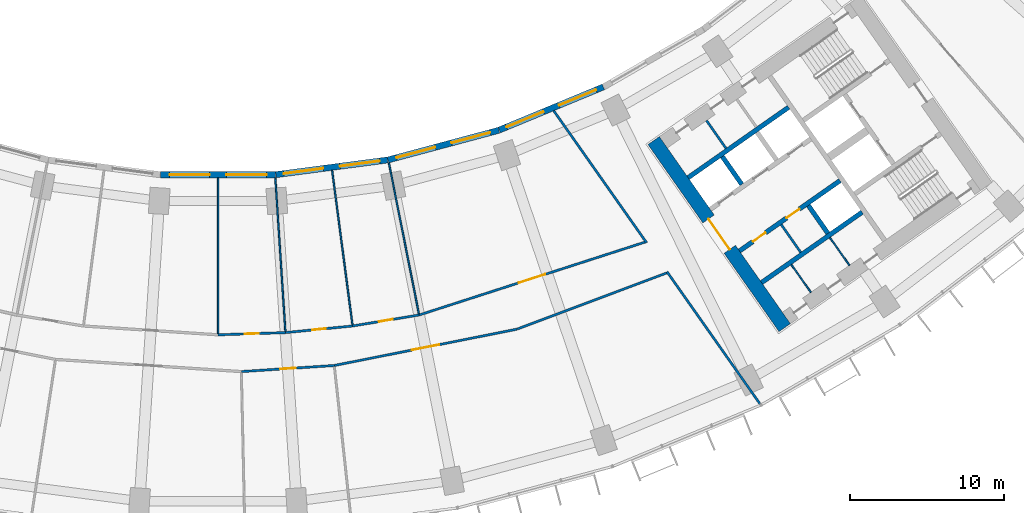
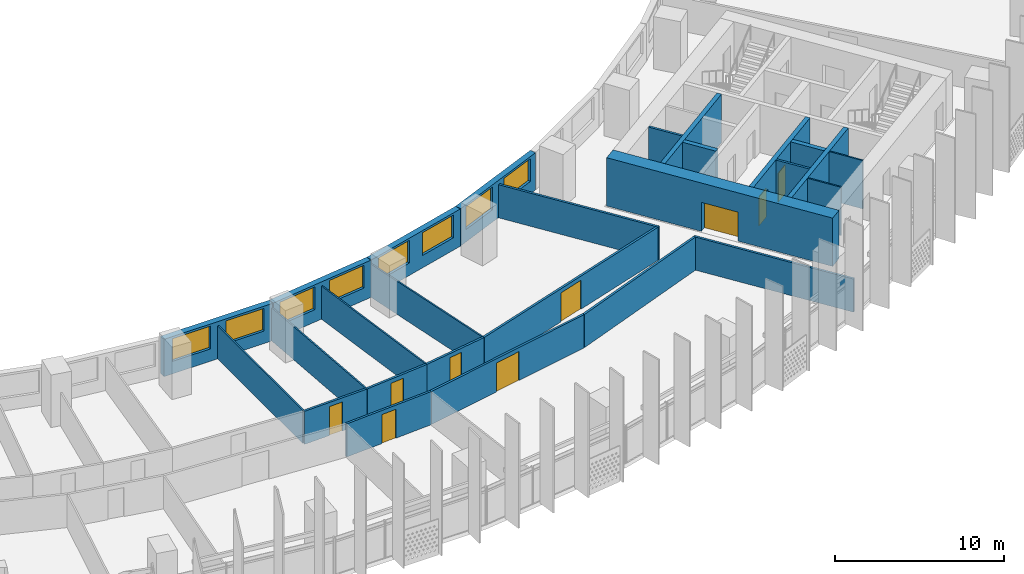
# One storey, part 6 of 33: 27 walls, 9 doors, 8 windows, 17 openings.
"""IFC4 building model written with IfcOpenShell, lengths in metres."""

import ifcopenshell
import ifcopenshell.guid

model = None  # the IFC model being written
_history = None  # IfcOwnerHistory: only IFC2X3 demands one
_inside = {}  # id of a spatial element -> (the spatial element, [elements in it])
_under = {}  # id of a project, library or spatial element -> (it, [spatial elements below it])
_declared = {}  # id of a project -> (the project, [libraries it declares])
_typed = {}  # id of a type object -> (the type object, [elements of that type])
_made_of = {}  # id of a material, layer set ... -> (it, [elements and type objects made of it])


def new_model(schema):
    """Start an empty IFC model of exactly this schema.

    Asked for "IFC4X3", IfcOpenShell would pick the latest addendum, in which some entities
    have other attributes; the version numbers below select the first issue.
    IFC2X3 requires an IfcOwnerHistory on every rooted entity: one is made here for all.
    """
    global model, _history
    if schema == "IFC4X3":
        model = ifcopenshell.file(schema_version=(4, 3, 0, 0))
    else:
        model = ifcopenshell.file(schema=schema)
    _inside.clear()
    _under.clear()
    _declared.clear()
    _typed.clear()
    _made_of.clear()
    _history = None
    if model.schema == "IFC2X3":
        org = make("IfcOrganization", Name="unknown")
        user = make(
            "IfcPersonAndOrganization",
            ThePerson=make("IfcPerson", FamilyName="unknown"),
            TheOrganization=org,
        )
        app = make(
            "IfcApplication",
            ApplicationDeveloper=org,
            Version="unknown",
            ApplicationFullName="unknown",
            ApplicationIdentifier="unknown",
        )
        _history = make(
            "IfcOwnerHistory",
            OwningUser=user,
            OwningApplication=app,
            ChangeAction="ADDED",
            CreationDate=0,
        )
    return model


def make(cls, **values):
    """One entity of the class cls with the attributes given. An attribute that is None is left unset."""
    return model.create_entity(
        cls, **{name: value for name, value in values.items() if value is not None}
    )


def rooted(cls, **values):
    """An entity with a GlobalId (a new one), such as an element, a storey or a relation."""
    return make(cls, GlobalId=ifcopenshell.guid.new(), OwnerHistory=_history, **values)


def si_unit(unit_type, name, prefix=None):
    """IfcSIUnit, for example si_unit("LENGTHUNIT", "METRE", prefix="MILLI")."""
    return make("IfcSIUnit", UnitType=unit_type, Prefix=prefix, Name=name)


def assignment(units):
    """IfcUnitAssignment: the units of a project."""
    return None if units is None else make("IfcUnitAssignment", Units=units)


def point(xyz):
    """IfcCartesianPoint."""
    return None if xyz is None else make("IfcCartesianPoint", Coordinates=xyz)


def direction(xyz):
    """IfcDirection."""
    return None if xyz is None else make("IfcDirection", DirectionRatios=xyz)


def frame(location, z_axis=None, x_axis=None):
    """IfcAxis2Placement3D, a coordinate frame: its origin and axes. An axis left out is left unset."""
    return make(
        "IfcAxis2Placement3D",
        Location=point(location),
        Axis=direction(z_axis),
        RefDirection=direction(x_axis),
    )


def frame_2d(location, x_axis=None):
    """IfcAxis2Placement2D, a coordinate frame in the plane: its origin and x axis."""
    return make(
        "IfcAxis2Placement2D", Location=point(location), RefDirection=direction(x_axis)
    )


def origin():
    """The frame at (0, 0, 0) with its axes left unset."""
    return frame((0.0, 0.0, 0.0))


def place(relative_to, where):
    """IfcLocalPlacement: puts the frame where relative to a parent placement (None: the world)."""
    return make(
        "IfcLocalPlacement", PlacementRelTo=relative_to, RelativePlacement=where
    )


def context(
    kind, dimensions, precision=None, world=None, true_north=None, identifier=None
):
    """IfcGeometricRepresentationContext, for example the 3D "Model" context."""
    return make(
        "IfcGeometricRepresentationContext",
        ContextIdentifier=identifier,
        ContextType=kind,
        CoordinateSpaceDimension=dimensions,
        Precision=precision,
        WorldCoordinateSystem=world,
        TrueNorth=true_north,
    )


def subcontext(parent, identifier, kind, view, scale=None):
    """IfcGeometricRepresentationSubContext, for example "Body" below "Model"."""
    return make(
        "IfcGeometricRepresentationSubContext",
        ContextIdentifier=identifier,
        ContextType=kind,
        ParentContext=parent,
        TargetScale=scale,
        TargetView=view,
    )


def project(units=None, contexts=None):
    """IfcProject with its units and contexts."""
    return rooted(
        "IfcProject",
        Name="project",
        RepresentationContexts=contexts,
        UnitsInContext=assignment(units),
    )


def spatial(cls, under=None, at=None, **own):
    """A site, building, storey or space (cls), placed at a placement, below another one or the project."""
    s = rooted(cls, ObjectPlacement=at, **own)
    if under is not None:
        _under.setdefault(under.id(), (under, []))[1].append(s)
    return s


def profile(cls, at=None, kind="AREA", **sizes):
    """A parametric profile (cls). Its sizes go by their IFC names, for example OverallWidth=200.0."""
    return make(cls, ProfileType=kind, Position=at, **sizes)


def rectangle(**sizes):
    """IfcRectangleProfileDef."""
    return profile("IfcRectangleProfileDef", **sizes)


def extrude(swept, where, along, depth):
    """IfcExtrudedAreaSolid: the profile swept, set in the frame where, extruded along a direction by depth."""
    return make(
        "IfcExtrudedAreaSolid",
        SweptArea=swept,
        Position=where,
        ExtrudedDirection=direction(along),
        Depth=depth,
    )


def shape(context_of_items, identifier, shape_type, items):
    """IfcShapeRepresentation: the items that make up one representation, for example the "Body"."""
    return make(
        "IfcShapeRepresentation",
        ContextOfItems=context_of_items,
        RepresentationIdentifier=identifier,
        RepresentationType=shape_type,
        Items=items,
    )


def material(Name=None, Category=None):
    """IfcMaterial."""
    return make("IfcMaterial", Name=Name, Category=Category)


def layer(
    of_material, thickness, ventilated=None, Name=None, Category=None, Priority=None
):
    """IfcMaterialLayer: one layer of a wall or slab, of a material (None: an air gap)."""
    return make(
        "IfcMaterialLayer",
        Material=of_material,
        LayerThickness=thickness,
        IsVentilated=ventilated,
        Name=Name,
        Category=Category,
        Priority=Priority,
    )


def layer_set(layers, Name=None):
    """IfcMaterialLayerSet."""
    return make("IfcMaterialLayerSet", MaterialLayers=layers, LayerSetName=Name)


def made_of(thing, what):
    """Note that an element or type object is made of a material, layer set ...; save() writes the relation."""
    if what is not None:
        _made_of.setdefault(what.id(), (what, []))[1].append(thing)
    return thing


def type_object(cls, material=None, **own):
    """A type object (cls), such as IfcWallType, which elements share."""
    return made_of(rooted(cls, **own), material)


def element(
    cls,
    number,
    at=None,
    inside=None,
    cuts=None,
    type_object=None,
    material=None,
    context=None,
    identifier="Body",
    shape_type=None,
    held_by="IfcProductDefinitionShape",
    body=None,
    shapes=None,
    **own,
):
    """One element of the class cls, such as IfcWall. Its Tag is "e" and its number.

    at: its placement. inside: the storey or other place that contains it. cuts: it is an
    opening in that element (IfcRelVoidsElement). A single representation is given by context,
    identifier, shape_type and body (its items); several are given by shapes. held_by: the class
    of the entity that holds the representations. save() writes the other relations.
    """
    e = rooted(cls, Tag="e%d" % number, ObjectPlacement=at, **own)
    if body is not None:
        shapes = [shape(context, identifier, shape_type, body)]
    if shapes is not None:
        e.Representation = make(held_by, Representations=shapes)
    if inside is not None:
        _inside.setdefault(inside.id(), (inside, []))[1].append(e)
    if cuts is not None:
        rooted(
            "IfcRelVoidsElement", RelatingBuildingElement=cuts, RelatedOpeningElement=e
        )
    if type_object is not None:
        _typed.setdefault(type_object.id(), (type_object, []))[1].append(e)
    return made_of(e, material)


def fill(opening, filler):
    """IfcRelFillsElement: the door or window that sits in an opening."""
    return rooted(
        "IfcRelFillsElement",
        RelatingOpeningElement=opening,
        RelatedBuildingElement=filler,
    )


def aggregate(whole, parts):
    """IfcRelAggregates: a whole, such as a stair, and the parts it consists of."""
    return rooted("IfcRelAggregates", RelatingObject=whole, RelatedObjects=parts)


def save(model, path):
    """Write the relations noted so far, then the file.

    IfcRelAggregates (storeys below a building ...), IfcRelContainedInSpatialStructure (elements
    in a storey), IfcRelDefinesByType, IfcRelAssociatesMaterial and IfcRelDeclares: one each for
    every whole, place, type object, material and project.
    """
    for whole, parts in _under.values():
        aggregate(whole, parts)
    for where, things in _inside.values():
        rooted(
            "IfcRelContainedInSpatialStructure",
            RelatedElements=things,
            RelatingStructure=where,
        )
    for kind, things in _typed.values():
        rooted("IfcRelDefinesByType", RelatedObjects=things, RelatingType=kind)
    for what, things in _made_of.values():
        rooted("IfcRelAssociatesMaterial", RelatedObjects=things, RelatingMaterial=what)
    for by, libraries in _declared.values():
        rooted("IfcRelDeclares", RelatingContext=by, RelatedDefinitions=libraries)
    model.write(path)


model = new_model("IFC4")

# Units and contexts
model_context = context("Model", 3, precision=1e-05, world=origin(), true_north=direction((0.0, 1.0)))
body_context = subcontext(model_context, "Body", "Model", "MODEL_VIEW")
ifc_project = project(units=[si_unit("LENGTHUNIT", "METRE"), si_unit("AREAUNIT", "SQUARE_METRE"), si_unit("VOLUMEUNIT", "CUBIC_METRE"), si_unit("PLANEANGLEUNIT", "RADIAN"), si_unit("MASSUNIT", "GRAM", prefix="KILO")], contexts=[model_context])

# Site, building, storey
site_placement = place(None, origin())
site = spatial("IfcSite", under=ifc_project, at=site_placement, CompositionType="ELEMENT")
building_placement = place(site_placement, origin())
building = spatial("IfcBuilding", under=site, at=building_placement, Name="Qamariyya Broadcast Tower", CompositionType="ELEMENT")
storey_placement = place(building_placement, frame((0.0, 0.0, 78.5)))
storey = spatial("IfcBuildingStorey", under=building, at=storey_placement, Name="L16", CompositionType="ELEMENT", Elevation=78.5)

# Wall, opening, door
ifc_material_1 = material(Name="Concrete C70/85", Category="concrete")
ifc_layer_1 = layer(ifc_material_1, 0.89990234375)
ifc_layer_set_1 = layer_set([ifc_layer_1], Name="Core wall 900 mm Concrete C70/85")
wall_type_1 = type_object("IfcWallType", Name="Core wall 900 mm Concrete C70/85", PredefinedType="SHEAR", material=ifc_layer_set_1)
wall_1_placement = place(storey_placement, frame((36.716796875, -66.3369140625, 0.0), z_axis=(0.0, 0.0, 1.0), x_axis=(-0.573577477574, 0.819151315216, 0.0)))
wall_1 = element("IfcWall", 1, at=wall_1_placement, inside=storey, type_object=wall_type_1, Name="k-E-L16-WA", PredefinedType="SHEAR", context=body_context, shape_type="SweptSolid", body=[
    extrude(rectangle(XDim=14.800048828125, YDim=0.89990234375, at=frame_2d((7.39990234375, 0.0))), origin(), (0.0, 0.0, 1.0), 3.5),
])
opening_1_placement = place(wall_1_placement, frame((6.199951171875, 0.0, 0.0)))
opening_1 = element("IfcOpeningElement", 2, at=opening_1_placement, cuts=wall_1, Name="Opening KD3-E1", PredefinedType="OPENING", context=body_context, shape_type="SweptSolid", body=[
    extrude(rectangle(XDim=2.39990234375, YDim=2.10009765625, at=frame_2d((1.199951171875, 1.050048828125))), frame((0.0, 0.4599609375, 0.0), z_axis=(0.0, -1.0, 0.0), x_axis=(1.0, 0.0, 0.0)), (0.0, 0.0, 1.0), 0.919921875),
])
ifc_material_2 = material(Name="Steel fire-resisting door leaf", Category="steel")
door_type_1 = type_object("IfcDoorType", Name="Lift lobby door KD3", OperationType="DOUBLE_DOOR_SINGLE_SWING", PredefinedType="DOOR", material=ifc_material_2)
door_1_placement = place(opening_1_placement, origin())
door_1 = element("IfcDoor", 3, at=door_1_placement, inside=storey, type_object=door_type_1, Name="k-E-L16-WA-D1", OperationType="DOUBLE_DOOR_SINGLE_SWING", OverallHeight=2.10009765625, OverallWidth=2.39990234375, PredefinedType="DOOR", context=body_context, shape_type="SweptSolid", body=[
    extrude(rectangle(XDim=2.39990234375, YDim=2.10009765625, at=frame_2d((1.199951171875, 1.050048828125))), frame((0.0, 0.02490234375, 0.0), z_axis=(0.0, -1.0, 0.0), x_axis=(1.0, 0.0, 0.0)), (0.0, 0.0, 1.0), 0.050048828125),
])
fill(opening_1, door_1)

ifc_material_3 = material(Name="Gypsum board partition")
ifc_layer_2 = layer(ifc_material_3, 0.14990234375)
ifc_layer_set_2 = layer_set([ifc_layer_2], Name="Corridor partition 150 EI 60")
wall_type_2 = type_object("IfcWallType", Name="Corridor partition 150 EI 60", PredefinedType="PARTITIONING", material=ifc_layer_set_2)
wall_2_placement = place(storey_placement, frame((0.0, -66.800048828125, 0.0), z_axis=(0.0, 0.0, 1.0), x_axis=(0.99946426167, 0.03272903366, 0.0)))
wall_2 = element("IfcWall", 4, at=wall_2_placement, inside=storey, type_object=wall_type_2, Name="Partition L16-016", PredefinedType="PARTITIONING", context=body_context, shape_type="SweptSolid", body=[
    extrude(rectangle(XDim=4.371337890625, YDim=0.14990234375, at=frame_2d((2.185546875, 0.0))), origin(), (0.0, 0.0, 1.0), 2.39990234375),
])
opening_2_placement = place(wall_2_placement, frame((1.735595703125, 0.0, 0.0)))
opening_2 = element("IfcOpeningElement", 5, at=opening_2_placement, cuts=wall_2, Name="Opening L16-D10", PredefinedType="OPENING", context=body_context, shape_type="SweptSolid", body=[
    extrude(rectangle(XDim=0.89990234375, YDim=2.10009765625, at=frame_2d((0.449951171875, 1.050048828125))), frame((0.0, 0.0849609375, 0.0), z_axis=(0.0, -1.0, 0.0), x_axis=(1.0, 0.0, 0.0)), (0.0, 0.0, 1.0), 0.169921875),
])
ifc_material_4 = material(Name="Timber fire door leaf", Category="wood")
door_type_2 = type_object("IfcDoorType", Name="Fire door 900 x 2100 FD60", OperationType="NOTDEFINED", PredefinedType="DOOR", material=ifc_material_4)
door_2_placement = place(opening_2_placement, origin())
door_2 = element("IfcDoor", 6, at=door_2_placement, inside=storey, type_object=door_type_2, Name="Door L16-D10", OperationType="SINGLE_SWING_RIGHT", OverallHeight=2.10009765625, OverallWidth=0.89990234375, PredefinedType="DOOR", context=body_context, shape_type="SweptSolid", body=[
    extrude(rectangle(XDim=0.89990234375, YDim=2.10009765625, at=frame_2d((0.449951171875, 1.050048828125))), frame((0.0, 0.02490234375, 0.0), z_axis=(0.0, -1.0, 0.0), x_axis=(1.0, 0.0, 0.0)), (0.0, 0.0, 1.0), 0.050048828125),
])
fill(opening_2, door_2)

wall_3_placement = place(storey_placement, frame((7.53173828125, -68.788818359375, 0.0), z_axis=(0.0, 0.0, 1.0), x_axis=(-0.997856905736, -0.065433903101, 0.0)))
wall_3 = element("IfcWall", 7, at=wall_3_placement, inside=storey, type_object=wall_type_2, Name="Partition L16-018", PredefinedType="PARTITIONING", context=body_context, shape_type="SweptSolid", body=[
    extrude(rectangle(XDim=6.033203125, YDim=0.14990234375, at=frame_2d((3.0166015625, 0.0))), origin(), (0.0, 0.0, 1.0), 2.39990234375),
])
opening_3_placement = place(wall_3_placement, frame((2.5166015625, 0.0, 0.0)))
opening_3 = element("IfcOpeningElement", 8, at=opening_3_placement, cuts=wall_3, Name="Opening L16-D04", PredefinedType="OPENING", context=body_context, shape_type="SweptSolid", body=[
    extrude(rectangle(XDim=1.0, YDim=2.10009765625, at=frame_2d((0.5, 1.050048828125))), frame((0.0, 0.0849609375, 0.0), z_axis=(0.0, -1.0, 0.0), x_axis=(1.0, 0.0, 0.0)), (0.0, 0.0, 1.0), 0.169921875),
])
door_type_3 = type_object("IfcDoorType", Name="Fire door 1000 x 2100 FD60", OperationType="NOTDEFINED", PredefinedType="DOOR", material=ifc_material_4)
door_3_placement = place(opening_3_placement, origin())
door_3 = element("IfcDoor", 9, at=door_3_placement, inside=storey, type_object=door_type_3, Name="Door L16-D04", OperationType="SINGLE_SWING_RIGHT", OverallHeight=2.10009765625, OverallWidth=1.0, PredefinedType="DOOR", context=body_context, shape_type="SweptSolid", body=[
    extrude(rectangle(XDim=1.0, YDim=2.10009765625, at=frame_2d((0.5, 1.050048828125))), frame((0.0, 0.02490234375, 0.0), z_axis=(0.0, -1.0, 0.0), x_axis=(1.0, 0.0, 0.0)), (0.0, 0.0, 1.0), 0.050048828125),
])
fill(opening_3, door_3)

wall_4_placement = place(storey_placement, frame((4.368896484375, -66.656982421875, 0.0), z_axis=(0.0, 0.0, 1.0), x_axis=(0.995184826457, 0.098016127192, 0.0)))
wall_4 = element("IfcWall", 10, at=wall_4_placement, inside=storey, type_object=wall_type_2, Name="Partition L16-021", PredefinedType="PARTITIONING", context=body_context, shape_type="SweptSolid", body=[
    extrude(rectangle(XDim=4.371337890625, YDim=0.14990234375, at=frame_2d((2.185546875, 0.0))), origin(), (0.0, 0.0, 1.0), 2.39990234375),
])
opening_4_placement = place(wall_4_placement, frame((1.735595703125, 0.0, 0.0)))
opening_4 = element("IfcOpeningElement", 11, at=opening_4_placement, cuts=wall_4, Name="Opening L16-D11", PredefinedType="OPENING", context=body_context, shape_type="SweptSolid", body=[
    extrude(rectangle(XDim=0.89990234375, YDim=2.10009765625, at=frame_2d((0.449951171875, 1.050048828125))), frame((0.0, 0.0849609375, 0.0), z_axis=(0.0, -1.0, 0.0), x_axis=(1.0, 0.0, 0.0)), (0.0, 0.0, 1.0), 0.169921875),
])
door_4_placement = place(opening_4_placement, origin())
door_4 = element("IfcDoor", 12, at=door_4_placement, inside=storey, type_object=door_type_2, Name="Door L16-D11", OperationType="SINGLE_SWING_RIGHT", OverallHeight=2.10009765625, OverallWidth=0.89990234375, PredefinedType="DOOR", context=body_context, shape_type="SweptSolid", body=[
    extrude(rectangle(XDim=0.89990234375, YDim=2.10009765625, at=frame_2d((0.449951171875, 1.050048828125))), frame((0.0, 0.02490234375, 0.0), z_axis=(0.0, -1.0, 0.0), x_axis=(1.0, 0.0, 0.0)), (0.0, 0.0, 1.0), 0.050048828125),
])
fill(opening_4, door_4)

wall_5_placement = place(storey_placement, frame((19.357177734375, -66.436767578125, 0.0), z_axis=(0.0, 0.0, 1.0), x_axis=(-0.980788063455, -0.195076330147, 0.0)))
wall_5 = element("IfcWall", 13, at=wall_5_placement, inside=storey, type_object=wall_type_2, Name="Partition L16-023", PredefinedType="PARTITIONING", context=body_context, shape_type="SweptSolid", body=[
    extrude(rectangle(XDim=12.05712890625, YDim=0.14990234375, at=frame_2d((6.028564453125, 0.0))), origin(), (0.0, 0.0, 1.0), 2.39990234375),
])
opening_5_placement = place(wall_5_placement, frame((5.12841796875, 0.0, 0.0)))
opening_5 = element("IfcOpeningElement", 14, at=opening_5_placement, cuts=wall_5, Name="Opening L16-D05", PredefinedType="OPENING", context=body_context, shape_type="SweptSolid", body=[
    extrude(rectangle(XDim=1.800048828125, YDim=2.10009765625, at=frame_2d((0.89990234375, 1.050048828125))), frame((0.0, 0.0849609375, 0.0), z_axis=(0.0, -1.0, 0.0), x_axis=(1.0, 0.0, 0.0)), (0.0, 0.0, 1.0), 0.169921875),
])
door_type_4 = type_object("IfcDoorType", Name="Double fire door 1800 x 2100 FD60", OperationType="NOTDEFINED", PredefinedType="DOOR", material=ifc_material_4)
door_5_placement = place(opening_5_placement, origin())
door_5 = element("IfcDoor", 15, at=door_5_placement, inside=storey, type_object=door_type_4, Name="Door L16-D05", OperationType="DOUBLE_DOOR_SINGLE_SWING", OverallHeight=2.10009765625, OverallWidth=1.800048828125, PredefinedType="DOOR", context=body_context, shape_type="SweptSolid", body=[
    extrude(rectangle(XDim=1.800048828125, YDim=2.10009765625, at=frame_2d((0.89990234375, 1.050048828125))), frame((0.0, 0.02490234375, 0.0), z_axis=(0.0, -1.0, 0.0), x_axis=(1.0, 0.0, 0.0)), (0.0, 0.0, 1.0), 0.050048828125),
])
fill(opening_5, door_5)

wall_6_placement = place(storey_placement, frame((8.71923828125, -66.228515625, 0.0), z_axis=(0.0, 0.0, 1.0), x_axis=(0.986638873051, 0.162922479065, 0.0)))
wall_6 = element("IfcWall", 16, at=wall_6_placement, inside=storey, type_object=wall_type_2, Name="Partition L16-025", PredefinedType="PARTITIONING", context=body_context, shape_type="SweptSolid", body=[
    extrude(rectangle(XDim=4.37109375, YDim=0.14990234375, at=frame_2d((2.185546875, 0.0))), origin(), (0.0, 0.0, 1.0), 2.39990234375),
])
opening_6_placement = place(wall_6_placement, frame((1.735595703125, 0.0, 0.0)))
opening_6 = element("IfcOpeningElement", 17, at=opening_6_placement, cuts=wall_6, Name="Opening L16-D12", PredefinedType="OPENING", context=body_context, shape_type="SweptSolid", body=[
    extrude(rectangle(XDim=0.89990234375, YDim=2.10009765625, at=frame_2d((0.449951171875, 1.050048828125))), frame((0.0, 0.0849609375, 0.0), z_axis=(0.0, -1.0, 0.0), x_axis=(1.0, 0.0, 0.0)), (0.0, 0.0, 1.0), 0.169921875),
])
door_6_placement = place(opening_6_placement, origin())
door_6 = element("IfcDoor", 18, at=door_6_placement, inside=storey, type_object=door_type_2, Name="Door L16-D12", OperationType="SINGLE_SWING_RIGHT", OverallHeight=2.10009765625, OverallWidth=0.89990234375, PredefinedType="DOOR", context=body_context, shape_type="SweptSolid", body=[
    extrude(rectangle(XDim=0.89990234375, YDim=2.10009765625, at=frame_2d((0.449951171875, 1.050048828125))), frame((0.0, 0.02490234375, 0.0), z_axis=(0.0, -1.0, 0.0), x_axis=(1.0, 0.0, 0.0)), (0.0, 0.0, 1.0), 0.050048828125),
])
fill(opening_6, door_6)

wall_7_placement = place(storey_placement, frame((13.031982421875, -65.516357421875, 0.0), z_axis=(0.0, 0.0, 1.0), x_axis=(0.951666530015, 0.307133221338, 0.0)))
wall_7 = element("IfcWall", 19, at=wall_7_placement, inside=storey, type_object=wall_type_2, Name="Partition L16-027", PredefinedType="PARTITIONING", context=body_context, shape_type="SweptSolid", body=[
    extrude(rectangle(XDim=15.3662109375, YDim=0.14990234375, at=frame_2d((7.68310546875, 0.0))), origin(), (0.0, 0.0, 1.0), 2.39990234375),
])
opening_7_placement = place(wall_7_placement, frame((6.782958984375, 0.0, 0.0)))
opening_7 = element("IfcOpeningElement", 20, at=opening_7_placement, cuts=wall_7, Name="Opening L16-D13", PredefinedType="OPENING", context=body_context, shape_type="SweptSolid", body=[
    extrude(rectangle(XDim=1.800048828125, YDim=2.10009765625, at=frame_2d((0.89990234375, 1.050048828125))), frame((0.0, 0.0849609375, 0.0), z_axis=(0.0, -1.0, 0.0), x_axis=(1.0, 0.0, 0.0)), (0.0, 0.0, 1.0), 0.169921875),
])
door_7_placement = place(opening_7_placement, origin())
door_7 = element("IfcDoor", 21, at=door_7_placement, inside=storey, type_object=door_type_4, Name="Door L16-D13", OperationType="DOUBLE_DOOR_SINGLE_SWING", OverallHeight=2.10009765625, OverallWidth=1.800048828125, PredefinedType="DOOR", context=body_context, shape_type="SweptSolid", body=[
    extrude(rectangle(XDim=1.800048828125, YDim=2.10009765625, at=frame_2d((0.89990234375, 1.050048828125))), frame((0.0, 0.02490234375, 0.0), z_axis=(0.0, -1.0, 0.0), x_axis=(1.0, 0.0, 0.0)), (0.0, 0.0, 1.0), 0.050048828125),
])
fill(opening_7, door_7)

# Walls
wall_8_placement = place(storey_placement, frame((19.37451171875, -66.431640625, 0.0), z_axis=(0.0, 0.0, 1.0), x_axis=(0.936221491251, 0.351410471272, 0.0)))
element("IfcWall", 22, at=wall_8_placement, inside=storey, type_object=wall_type_2, Name="Partition L16-028", PredefinedType="PARTITIONING", context=body_context, shape_type="SweptSolid", body=[
    extrude(rectangle(XDim=10.34619140625, YDim=0.14990234375, at=frame_2d((5.173095703125, 0.0))), origin(), (0.0, 0.0, 1.0), 2.39990234375),
])
wall_9_placement = place(storey_placement, frame((21.748291015625, -52.2763671875, 0.0), z_axis=(0.0, 0.0, 1.0), x_axis=(0.575419434668, -0.817858468322, 0.0)))
element("IfcWall", 23, at=wall_9_placement, inside=storey, type_object=wall_type_2, Name="Partition L16-029", PredefinedType="PARTITIONING", context=body_context, shape_type="SweptSolid", body=[
    extrude(rectangle(XDim=10.46484375, YDim=0.14990234375, at=frame_2d((5.232421875, 0.0))), origin(), (0.0, 0.0, 1.0), 2.39990234375),
])
wall_10_placement = place(storey_placement, frame((29.087890625, -62.708251953125, 0.0), z_axis=(0.0, 0.0, 1.0), x_axis=(0.575411972256, -0.817863718589, 0.0)))
element("IfcWall", 24, at=wall_10_placement, inside=storey, type_object=wall_type_2, Name="Partition L16-030", PredefinedType="PARTITIONING", context=body_context, shape_type="SweptSolid", body=[
    extrude(rectangle(XDim=10.471435546875, YDim=0.14990234375, at=frame_2d((5.23583984375, 0.0))), origin(), (0.0, 0.0, 1.0), 2.39990234375),
])
ifc_material_5 = material(Name="Gypsum board partition on steel studs", Category="steel")
ifc_layer_3 = layer(ifc_material_5, 0.14990234375)
ifc_layer_set_3 = layer_set([ifc_layer_3], Name="Gypsum board partition 150 mm")
wall_type_3 = type_object("IfcWallType", Name="Gypsum board partition 150 mm", PredefinedType="PARTITIONING", material=ifc_layer_set_3)
wall_11_placement = place(storey_placement, frame((36.49462890625, -59.65625, 0.0), z_axis=(0.0, 0.0, 1.0), x_axis=(0.573633636671, -0.819111989218, 0.0)))
element("IfcWall", 25, at=wall_11_placement, inside=storey, type_object=wall_type_3, Name="k-E-L16-SC320", PredefinedType="PARTITIONING", context=body_context, shape_type="SweptSolid", body=[
    extrude(rectangle(XDim=2.199951171875, YDim=0.14990234375, at=frame_2d((1.10009765625, 0.0))), origin(), (0.0, 0.0, 1.0), 3.5),
])
wall_12_placement = place(storey_placement, frame((32.9140625, -54.716796875, 0.0), z_axis=(0.0, 0.0, 1.0), x_axis=(-0.573581496053, 0.819148501424, 0.0)))
element("IfcWall", 26, at=wall_12_placement, inside=storey, type_object=wall_type_3, Name="k-E-L16-NP310", PredefinedType="PARTITIONING", context=body_context, shape_type="SweptSolid", body=[
    extrude(rectangle(XDim=2.2001953125, YDim=0.14990234375, at=frame_2d((1.10009765625, 0.0))), origin(), (0.0, 0.0, 1.0), 3.5),
])
ifc_material_6 = material(Name="Concrete C60/75", Category="concrete")
ifc_layer_4 = layer(ifc_material_6, 0.300048828125)
ifc_layer_set_4 = layer_set([ifc_layer_4], Name="Lift shaft wall 300 mm Concrete C60/75")
wall_type_4 = type_object("IfcWallType", Name="Lift shaft wall 300 mm Concrete C60/75", PredefinedType="SOLIDWALL", material=ifc_layer_set_4)
wall_13_placement = place(storey_placement, frame((30.460693359375, -56.61767578125, 0.0), z_axis=(0.0, 0.0, 1.0), x_axis=(0.819142461705, 0.573590121456, 0.0)))
element("IfcWall", 27, at=wall_13_placement, inside=storey, type_object=wall_type_4, Name="k-E-L16-NB0", PredefinedType="SOLIDWALL", context=body_context, shape_type="SweptSolid", body=[
    extrude(rectangle(XDim=7.949951171875, YDim=0.300048828125, at=frame_2d((3.97509765625, 0.0))), origin(), (0.0, 0.0, 1.0), 3.5),
])
wall_14_placement = place(storey_placement, frame((33.9384765625, -57.051513671875, 0.0), z_axis=(0.0, 0.0, 1.0), x_axis=(-0.573581496053, 0.819148501424, 0.0)))
element("IfcWall", 28, at=wall_14_placement, inside=storey, type_object=wall_type_4, Name="k-E-L16-ND0", PredefinedType="SOLIDWALL", context=body_context, shape_type="SweptSolid", body=[
    extrude(rectangle(XDim=2.2001953125, YDim=0.300048828125, at=frame_2d((1.10009765625, 0.0))), origin(), (0.0, 0.0, 1.0), 3.5),
])

# Wall, openings, doors
wall_15_placement = place(storey_placement, frame((33.787353515625, -61.368896484375, 0.0), z_axis=(0.0, 0.0, 1.0), x_axis=(0.819152564888, 0.573575692858, 0.0)))
wall_15 = element("IfcWall", 29, at=wall_15_placement, inside=storey, type_object=wall_type_4, Name="k-E-L16-SF0", PredefinedType="SOLIDWALL", context=body_context, shape_type="SweptSolid", body=[
    extrude(rectangle(XDim=7.9501953125, YDim=0.300048828125, at=frame_2d((3.97509765625, 0.0))), origin(), (0.0, 0.0, 1.0), 3.5),
])
opening_8_placement = place(wall_15_placement, frame((1.0625, 0.0, 0.0)))
opening_8 = element("IfcOpeningElement", 30, at=opening_8_placement, cuts=wall_15, Name="Opening KD6-E1", PredefinedType="OPENING", context=body_context, shape_type="SweptSolid", body=[
    extrude(rectangle(XDim=1.0, YDim=2.10009765625, at=frame_2d((0.5, 1.050048828125))), frame((0.0, 0.159912109375, 0.0), z_axis=(0.0, -1.0, 0.0), x_axis=(1.0, 0.0, 0.0)), (0.0, 0.0, 1.0), 0.320068359375),
])
opening_9_placement = place(wall_15_placement, frame((3.737548828125, 0.0, 0.0)))
opening_9 = element("IfcOpeningElement", 31, at=opening_9_placement, cuts=wall_15, Name="Opening KD6-E2", PredefinedType="OPENING", context=body_context, shape_type="SweptSolid", body=[
    extrude(rectangle(XDim=1.0, YDim=2.10009765625, at=frame_2d((0.5, 1.050048828125))), frame((0.0, 0.159912109375, 0.0), z_axis=(0.0, -1.0, 0.0), x_axis=(1.0, 0.0, 0.0)), (0.0, 0.0, 1.0), 0.320068359375),
])
door_type_5 = type_object("IfcDoorType", Name="Core room door KD6", OperationType="SINGLE_SWING_LEFT", PredefinedType="DOOR", material=ifc_material_2)
door_8_placement = place(opening_8_placement, origin())
door_8 = element("IfcDoor", 32, at=door_8_placement, inside=storey, type_object=door_type_5, Name="k-E-L16-SF0-D5", OperationType="SINGLE_SWING_LEFT", OverallHeight=2.10009765625, OverallWidth=1.0, PredefinedType="DOOR", context=body_context, shape_type="SweptSolid", body=[
    extrude(rectangle(XDim=1.0, YDim=2.10009765625, at=frame_2d((0.5, 1.050048828125))), frame((0.0, 0.02490234375, 0.0), z_axis=(0.0, -1.0, 0.0), x_axis=(1.0, 0.0, 0.0)), (0.0, 0.0, 1.0), 0.050048828125),
])
fill(opening_8, door_8)
door_9_placement = place(opening_9_placement, origin())
door_9 = element("IfcDoor", 33, at=door_9_placement, inside=storey, type_object=door_type_5, Name="k-E-L16-SF0-D6", OperationType="SINGLE_SWING_RIGHT", OverallHeight=2.10009765625, OverallWidth=1.0, PredefinedType="DOOR", context=body_context, shape_type="SweptSolid", body=[
    extrude(rectangle(XDim=1.0, YDim=2.10009765625, at=frame_2d((0.5, 1.050048828125))), frame((0.0, 0.02490234375, 0.0), z_axis=(0.0, -1.0, 0.0), x_axis=(1.0, 0.0, 0.0)), (0.0, 0.0, 1.0), 0.050048828125),
])
fill(opening_9, door_9)

# Walls
wall_16_placement = place(storey_placement, frame((35.22119140625, -63.41650390625, 0.0), z_axis=(0.0, 0.0, 1.0), x_axis=(0.819166993208, 0.573555086491, 0.0)))
element("IfcWall", 34, at=wall_16_placement, inside=storey, type_object=wall_type_4, Name="k-E-L16-SB0", PredefinedType="SOLIDWALL", context=body_context, shape_type="SweptSolid", body=[
    extrude(rectangle(XDim=7.9501953125, YDim=0.300048828125, at=frame_2d((3.97509765625, 0.0))), origin(), (0.0, 0.0, 1.0), 3.5),
])
wall_17_placement = place(storey_placement, frame((38.255859375, -58.423095703125, 0.0), z_axis=(0.0, 0.0, 1.0), x_axis=(0.573633636671, -0.819111989218, 0.0)))
element("IfcWall", 35, at=wall_17_placement, inside=storey, type_object=wall_type_4, Name="k-E-L16-SD1", PredefinedType="SOLIDWALL", context=body_context, shape_type="SweptSolid", body=[
    extrude(rectangle(XDim=2.199951171875, YDim=0.300048828125, at=frame_2d((1.10009765625, 0.0))), origin(), (0.0, 0.0, 1.0), 3.5),
])
ifc_layer_5 = layer(ifc_material_3, 0.10009765625)
ifc_layer_set_5 = layer_set([ifc_layer_5], Name="Partition 100")
wall_type_5 = type_object("IfcWallType", Name="Partition 100", PredefinedType="PARTITIONING", material=ifc_layer_set_5)
wall_18_placement = place(storey_placement, frame((0.0, -56.62939453125, 0.0), z_axis=(0.0, 0.0, 1.0), x_axis=(0.0, -1.0, 0.0)))
element("IfcWall", 36, at=wall_18_placement, inside=storey, type_object=wall_type_5, Name="Partition L16-017", PredefinedType="PARTITIONING", context=body_context, shape_type="SweptSolid", body=[
    extrude(rectangle(XDim=10.095703125, YDim=0.10009765625, at=frame_2d((5.0478515625, 0.0))), origin(), (0.0, 0.0, 1.0), 2.39990234375),
])
wall_19_placement = place(storey_placement, frame((3.711669921875, -56.62841796875, 0.0), z_axis=(0.0, 0.0, 1.0), x_axis=(0.06539808502, -0.997859253841, 0.0)))
element("IfcWall", 37, at=wall_19_placement, inside=storey, type_object=wall_type_5, Name="Partition L16-020", PredefinedType="PARTITIONING", context=body_context, shape_type="SweptSolid", body=[
    extrude(rectangle(XDim=9.974853515625, YDim=0.10009765625, at=frame_2d((4.9873046875, 0.0))), origin(), (0.0, 0.0, 1.0), 2.39990234375),
])
wall_20_placement = place(storey_placement, frame((7.3916015625, -56.144775390625, 0.0), z_axis=(0.0, 0.0, 1.0), x_axis=(0.130538336764, -0.991443262439, 0.0)))
element("IfcWall", 38, at=wall_20_placement, inside=storey, type_object=wall_type_5, Name="Partition L16-022", PredefinedType="PARTITIONING", context=body_context, shape_type="SweptSolid", body=[
    extrude(rectangle(XDim=10.095703125, YDim=0.10009765625, at=frame_2d((5.0478515625, 0.0))), origin(), (0.0, 0.0, 1.0), 2.39990234375),
])
wall_21_placement = place(storey_placement, frame((11.0712890625, -55.65966796875, 0.0), z_axis=(0.0, 0.0, 1.0), x_axis=(0.195094645032, -0.980784420492, 0.0)))
element("IfcWall", 39, at=wall_21_placement, inside=storey, type_object=wall_type_5, Name="Partition L16-026", PredefinedType="PARTITIONING", context=body_context, shape_type="SweptSolid", body=[
    extrude(rectangle(XDim=9.974853515625, YDim=0.10009765625, at=frame_2d((4.9873046875, 0.0))), origin(), (0.0, 0.0, 1.0), 2.39990234375),
])
ifc_material_7 = material(Name="Fire-rated gypsum shaft liner on steel studs", Category="steel")
ifc_layer_6 = layer(ifc_material_7, 0.10009765625)
ifc_layer_set_6 = layer_set([ifc_layer_6], Name="Riser wall 100 mm")
wall_type_6 = type_object("IfcWallType", Name="Riser wall 100 mm", PredefinedType="PLUMBINGWALL", material=ifc_layer_set_6)
for number, where, z_axis, x_axis, name in (
    (40, (37.150390625, -62.2490234375, 0.0), (0.0, 0.0, 1.0), (0.573633636671, -0.819111989218, 0.0), "k-E-L16-SP225"),
    (41, (39.64892578125, -60.49951171875, 0.0), (0.0, 0.0, 1.0), (0.573507030513, -0.819200638399, 0.0), "k-E-L16-SP530"),
):
    element("IfcWall", number, at=place(storey_placement, frame(where, z_axis=z_axis, x_axis=x_axis)), inside=storey, type_object=wall_type_6, Name=name, PredefinedType="PLUMBINGWALL", context=body_context, shape_type="SweptSolid", body=[
        extrude(rectangle(XDim=2.199951171875, YDim=0.10009765625, at=frame_2d((1.10009765625, 0.0))), origin(), (0.0, 0.0, 1.0), 3.5),
    ])

# Wall, openings, windows
ifc_material_8 = material(Name="Terracotta", Category="masonry")
ifc_layer_7 = layer(ifc_material_8, 0.39990234375)
ifc_layer_set_7 = layer_set([ifc_layer_7], Name="Terracotta clad wall 400")
wall_type_7 = type_object("IfcWallType", Name="Terracotta clad wall 400", PredefinedType="SOLIDWALL", material=ifc_layer_set_7)
wall_22_placement = place(storey_placement, frame((18.20166015625, -53.542724609375, 0.0), z_axis=(0.0, 0.0, 1.0), x_axis=(-0.965924637935, -0.25882348006, 0.0)))
wall_22 = element("IfcWall", 42, at=wall_22_placement, inside=storey, type_object=wall_type_7, Name="e-wl-L16-in100", PredefinedType="SOLIDWALL", context=body_context, shape_type="SweptSolid", body=[
    extrude(rectangle(XDim=7.447021484375, YDim=0.39990234375, at=frame_2d((3.7236328125, 0.0))), origin(), (0.0, 0.0, 1.0), 2.699951171875),
])
opening_10_placement = place(wall_22_placement, frame((4.266357421875, 0.0, 0.89990234375)))
opening_10 = element("IfcOpeningElement", 43, at=opening_10_placement, cuts=wall_22, Name="Opening W1", PredefinedType="OPENING", context=body_context, shape_type="SweptSolid", body=[
    extrude(rectangle(XDim=2.60009765625, YDim=1.64990234375, at=frame_2d((1.300048828125, 0.824951171875))), frame((0.0, 0.2099609375, 0.0), z_axis=(0.0, -1.0, 0.0), x_axis=(1.0, 0.0, 0.0)), (0.0, 0.0, 1.0), 0.419921875),
])
opening_11_placement = place(wall_22_placement, frame((0.580810546875, 0.0, 0.89990234375)))
opening_11 = element("IfcOpeningElement", 44, at=opening_11_placement, cuts=wall_22, Name="Opening W1", PredefinedType="OPENING", context=body_context, shape_type="SweptSolid", body=[
    extrude(rectangle(XDim=2.60009765625, YDim=1.64990234375, at=frame_2d((1.300048828125, 0.824951171875))), frame((0.0, 0.2099609375, 0.0), z_axis=(0.0, -1.0, 0.0), x_axis=(1.0, 0.0, 0.0)), (0.0, 0.0, 1.0), 0.419921875),
])
ifc_material_9 = material(Name="Clear low-e double glazed unit in aluminium frame", Category="aluminium")
window_type = type_object("IfcWindowType", Name="Ribbon window 2600 x 1650", PartitioningType="SINGLE_PANEL", PredefinedType="WINDOW", material=ifc_material_9)
window_1_placement = place(opening_10_placement, origin())
window_1 = element("IfcWindow", 45, at=window_1_placement, inside=storey, type_object=window_type, Name="e-w-L16-in10-0", OverallHeight=1.64990234375, OverallWidth=2.60009765625, PartitioningType="SINGLE_PANEL", PredefinedType="WINDOW", context=body_context, shape_type="SweptSolid", body=[
    extrude(rectangle(XDim=2.60009765625, YDim=1.64990234375, at=frame_2d((1.300048828125, 0.824951171875))), frame((0.0, 0.030029296875, 0.0), z_axis=(0.0, -1.0, 0.0), x_axis=(1.0, 0.0, 0.0)), (0.0, 0.0, 1.0), 0.06005859375),
])
fill(opening_10, window_1)
window_2_placement = place(opening_11_placement, origin())
window_2 = element("IfcWindow", 46, at=window_2_placement, inside=storey, type_object=window_type, Name="e-w-L16-in10-1", OverallHeight=1.64990234375, OverallWidth=2.60009765625, PartitioningType="SINGLE_PANEL", PredefinedType="WINDOW", context=body_context, shape_type="SweptSolid", body=[
    extrude(rectangle(XDim=2.60009765625, YDim=1.64990234375, at=frame_2d((1.300048828125, 0.824951171875))), frame((0.0, 0.030029296875, 0.0), z_axis=(0.0, -1.0, 0.0), x_axis=(1.0, 0.0, 0.0)), (0.0, 0.0, 1.0), 0.06005859375),
])
fill(opening_11, window_2)

wall_23_placement = place(storey_placement, frame((24.96484375, -50.738037109375, 0.0), z_axis=(0.0, 0.0, 1.0), x_axis=(-0.923891626322, -0.382654234018, 0.0)))
wall_23 = element("IfcWall", 47, at=wall_23_placement, inside=storey, type_object=wall_type_7, Name="e-wl-L16-in110", PredefinedType="SOLIDWALL", context=body_context, shape_type="SweptSolid", body=[
    extrude(rectangle(XDim=7.295654296875, YDim=0.39990234375, at=frame_2d((3.64794921875, 0.0))), origin(), (0.0, 0.0, 1.0), 2.699951171875),
])
opening_12_placement = place(wall_23_placement, frame((4.190673828125, 0.0, 0.89990234375)))
opening_12 = element("IfcOpeningElement", 48, at=opening_12_placement, cuts=wall_23, Name="Opening W1", PredefinedType="OPENING", context=body_context, shape_type="SweptSolid", body=[
    extrude(rectangle(XDim=2.60009765625, YDim=1.64990234375, at=frame_2d((1.300048828125, 0.824951171875))), frame((0.0, 0.2099609375, 0.0), z_axis=(0.0, -1.0, 0.0), x_axis=(1.0, 0.0, 0.0)), (0.0, 0.0, 1.0), 0.419921875),
])
opening_13_placement = place(wall_23_placement, frame((0.505126953125, 0.0, 0.89990234375)))
opening_13 = element("IfcOpeningElement", 49, at=opening_13_placement, cuts=wall_23, Name="Opening W1", PredefinedType="OPENING", context=body_context, shape_type="SweptSolid", body=[
    extrude(rectangle(XDim=2.60009765625, YDim=1.64990234375, at=frame_2d((1.300048828125, 0.824951171875))), frame((0.0, 0.2099609375, 0.0), z_axis=(0.0, -1.0, 0.0), x_axis=(1.0, 0.0, 0.0)), (0.0, 0.0, 1.0), 0.419921875),
])
window_3_placement = place(opening_12_placement, origin())
window_3 = element("IfcWindow", 50, at=window_3_placement, inside=storey, type_object=window_type, Name="e-w-L16-in11-0", OverallHeight=1.64990234375, OverallWidth=2.60009765625, PartitioningType="SINGLE_PANEL", PredefinedType="WINDOW", context=body_context, shape_type="SweptSolid", body=[
    extrude(rectangle(XDim=2.60009765625, YDim=1.64990234375, at=frame_2d((1.300048828125, 0.824951171875))), frame((0.0, 0.030029296875, 0.0), z_axis=(0.0, -1.0, 0.0), x_axis=(1.0, 0.0, 0.0)), (0.0, 0.0, 1.0), 0.06005859375),
])
fill(opening_12, window_3)
window_4_placement = place(opening_13_placement, origin())
window_4 = element("IfcWindow", 51, at=window_4_placement, inside=storey, type_object=window_type, Name="e-w-L16-in11-1", OverallHeight=1.64990234375, OverallWidth=2.60009765625, PartitioningType="SINGLE_PANEL", PredefinedType="WINDOW", context=body_context, shape_type="SweptSolid", body=[
    extrude(rectangle(XDim=2.60009765625, YDim=1.64990234375, at=frame_2d((1.300048828125, 0.824951171875))), frame((0.0, 0.030029296875, 0.0), z_axis=(0.0, -1.0, 0.0), x_axis=(1.0, 0.0, 0.0)), (0.0, 0.0, 1.0), 0.06005859375),
])
fill(opening_13, window_4)

wall_24_placement = place(storey_placement, frame((3.7236328125, -56.429443359375, 0.0), z_axis=(0.0, 0.0, 1.0), x_axis=(-1.0, 0.0, 0.0)))
wall_24 = element("IfcWall", 52, at=wall_24_placement, inside=storey, type_object=wall_type_7, Name="e-wl-L16-in80", PredefinedType="SOLIDWALL", context=body_context, shape_type="SweptSolid", body=[
    extrude(rectangle(XDim=7.447265625, YDim=0.39990234375, at=frame_2d((3.7236328125, 0.0))), origin(), (0.0, 0.0, 1.0), 2.699951171875),
])
opening_14_placement = place(wall_24_placement, frame((4.266357421875, 0.0, 0.89990234375)))
opening_14 = element("IfcOpeningElement", 53, at=opening_14_placement, cuts=wall_24, Name="Opening W1", PredefinedType="OPENING", context=body_context, shape_type="SweptSolid", body=[
    extrude(rectangle(XDim=2.60009765625, YDim=1.64990234375, at=frame_2d((1.300048828125, 0.824951171875))), frame((0.0, 0.2099609375, 0.0), z_axis=(0.0, -1.0, 0.0), x_axis=(1.0, 0.0, 0.0)), (0.0, 0.0, 1.0), 0.419921875),
])
opening_15_placement = place(wall_24_placement, frame((0.580810546875, 0.0, 0.89990234375)))
opening_15 = element("IfcOpeningElement", 54, at=opening_15_placement, cuts=wall_24, Name="Opening W1", PredefinedType="OPENING", context=body_context, shape_type="SweptSolid", body=[
    extrude(rectangle(XDim=2.60009765625, YDim=1.64990234375, at=frame_2d((1.300048828125, 0.824951171875))), frame((0.0, 0.2099609375, 0.0), z_axis=(0.0, -1.0, 0.0), x_axis=(1.0, 0.0, 0.0)), (0.0, 0.0, 1.0), 0.419921875),
])
window_5_placement = place(opening_14_placement, origin())
window_5 = element("IfcWindow", 55, at=window_5_placement, inside=storey, type_object=window_type, Name="e-w-L16-in08-0", OverallHeight=1.64990234375, OverallWidth=2.60009765625, PartitioningType="SINGLE_PANEL", PredefinedType="WINDOW", context=body_context, shape_type="SweptSolid", body=[
    extrude(rectangle(XDim=2.60009765625, YDim=1.64990234375, at=frame_2d((1.300048828125, 0.824951171875))), frame((0.0, 0.030029296875, 0.0), z_axis=(0.0, -1.0, 0.0), x_axis=(1.0, 0.0, 0.0)), (0.0, 0.0, 1.0), 0.06005859375),
])
fill(opening_14, window_5)
window_6_placement = place(opening_15_placement, origin())
window_6 = element("IfcWindow", 56, at=window_6_placement, inside=storey, type_object=window_type, Name="e-w-L16-in08-1", OverallHeight=1.64990234375, OverallWidth=2.60009765625, PartitioningType="SINGLE_PANEL", PredefinedType="WINDOW", context=body_context, shape_type="SweptSolid", body=[
    extrude(rectangle(XDim=2.60009765625, YDim=1.64990234375, at=frame_2d((1.300048828125, 0.824951171875))), frame((0.0, 0.030029296875, 0.0), z_axis=(0.0, -1.0, 0.0), x_axis=(1.0, 0.0, 0.0)), (0.0, 0.0, 1.0), 0.06005859375),
])
fill(opening_15, window_6)

wall_25_placement = place(storey_placement, frame((10.982177734375, -55.470458984375, 0.0), z_axis=(0.0, 0.0, 1.0), x_axis=(-0.99144746031, -0.130506449818, 0.0)))
wall_25 = element("IfcWall", 57, at=wall_25_placement, inside=storey, type_object=wall_type_7, Name="e-wl-L16-in90", PredefinedType="SOLIDWALL", context=body_context, shape_type="SweptSolid", body=[
    extrude(rectangle(XDim=7.2958984375, YDim=0.39990234375, at=frame_2d((3.64794921875, 0.0))), origin(), (0.0, 0.0, 1.0), 2.699951171875),
])
opening_16_placement = place(wall_25_placement, frame((4.190673828125, 0.0, 0.89990234375)))
opening_16 = element("IfcOpeningElement", 58, at=opening_16_placement, cuts=wall_25, Name="Opening W1", PredefinedType="OPENING", context=body_context, shape_type="SweptSolid", body=[
    extrude(rectangle(XDim=2.60009765625, YDim=1.64990234375, at=frame_2d((1.300048828125, 0.824951171875))), frame((0.0, 0.2099609375, 0.0), z_axis=(0.0, -1.0, 0.0), x_axis=(1.0, 0.0, 0.0)), (0.0, 0.0, 1.0), 0.419921875),
])
opening_17_placement = place(wall_25_placement, frame((0.505126953125, 0.0, 0.89990234375)))
opening_17 = element("IfcOpeningElement", 59, at=opening_17_placement, cuts=wall_25, Name="Opening W1", PredefinedType="OPENING", context=body_context, shape_type="SweptSolid", body=[
    extrude(rectangle(XDim=2.60009765625, YDim=1.64990234375, at=frame_2d((1.300048828125, 0.824951171875))), frame((0.0, 0.2099609375, 0.0), z_axis=(0.0, -1.0, 0.0), x_axis=(1.0, 0.0, 0.0)), (0.0, 0.0, 1.0), 0.419921875),
])
window_7_placement = place(opening_16_placement, origin())
window_7 = element("IfcWindow", 60, at=window_7_placement, inside=storey, type_object=window_type, Name="e-w-L16-in09-0", OverallHeight=1.64990234375, OverallWidth=2.60009765625, PartitioningType="SINGLE_PANEL", PredefinedType="WINDOW", context=body_context, shape_type="SweptSolid", body=[
    extrude(rectangle(XDim=2.60009765625, YDim=1.64990234375, at=frame_2d((1.300048828125, 0.824951171875))), frame((0.0, 0.030029296875, 0.0), z_axis=(0.0, -1.0, 0.0), x_axis=(1.0, 0.0, 0.0)), (0.0, 0.0, 1.0), 0.06005859375),
])
fill(opening_16, window_7)
window_8_placement = place(opening_17_placement, origin())
window_8 = element("IfcWindow", 61, at=window_8_placement, inside=storey, type_object=window_type, Name="e-w-L16-in09-1", OverallHeight=1.64990234375, OverallWidth=2.60009765625, PartitioningType="SINGLE_PANEL", PredefinedType="WINDOW", context=body_context, shape_type="SweptSolid", body=[
    extrude(rectangle(XDim=2.60009765625, YDim=1.64990234375, at=frame_2d((1.300048828125, 0.824951171875))), frame((0.0, 0.030029296875, 0.0), z_axis=(0.0, -1.0, 0.0), x_axis=(1.0, 0.0, 0.0)), (0.0, 0.0, 1.0), 0.06005859375),
])
fill(opening_17, window_8)

save(model, "model.ifc")
